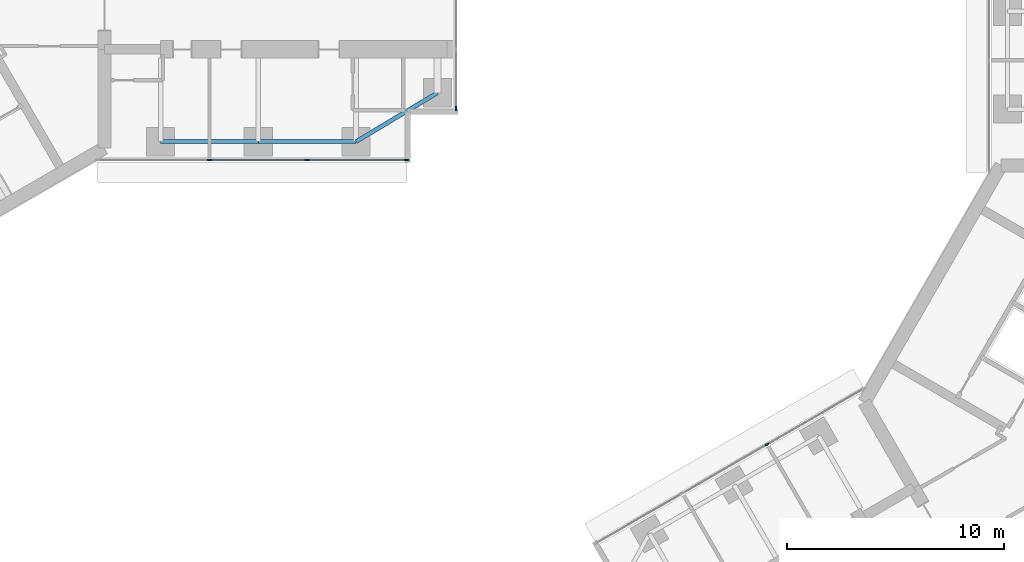
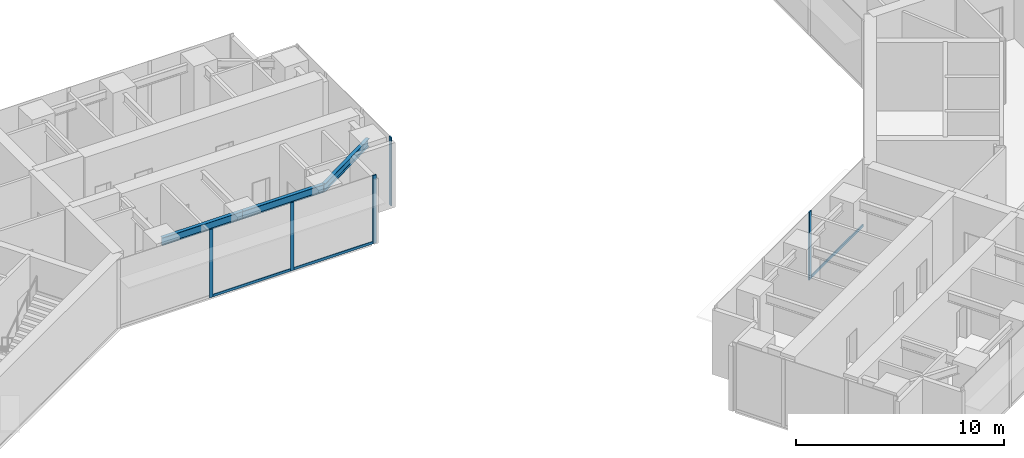
# One storey, part 4 of 22: 8 members, 3 beams, 3 elements without a shape of their own.
"""IFC4 building model written with IfcOpenShell, lengths in metres."""

from ifc_helpers import new_model, si_unit, direction, frame, origin, origin_2d, place, context, subcontext, project, spatial, rectangle, i_section, extrude, material, material_profile, profile_set, type_object, element, aggregate, save


model = new_model("IFC4")

# Units and contexts
model_context = context("Model", 3, precision=1e-05, world=origin(), true_north=direction((0.0, 1.0)))
body_context = subcontext(model_context, "Body", "Model", "MODEL_VIEW")
ifc_project = project(units=[si_unit("LENGTHUNIT", "METRE"), si_unit("AREAUNIT", "SQUARE_METRE"), si_unit("VOLUMEUNIT", "CUBIC_METRE"), si_unit("PLANEANGLEUNIT", "RADIAN"), si_unit("MASSUNIT", "GRAM", prefix="KILO")], contexts=[model_context])

# Site, building, storey
site_placement = place(None, origin())
site = spatial("IfcSite", under=ifc_project, at=site_placement, CompositionType="ELEMENT")
building_placement = place(site_placement, origin())
building = spatial("IfcBuilding", under=site, at=building_placement, Name="Upepo Twin Towers", CompositionType="ELEMENT")
storey_placement = place(building_placement, frame((0.0, 0.0, 121.5)))
storey = spatial("IfcBuildingStorey", under=building, at=storey_placement, Name="L29", CompositionType="ELEMENT", Elevation=121.5)

# Beams
ifc_material_1 = material(Name="Steel S355", Category="steel")
ifc_material_profile_1 = material_profile(ifc_material_1, i_section(OverallWidth=0.1904296875, OverallDepth=0.45703125, WebThickness=0.009033203125, FlangeThickness=0.014404296875, FilletRadius=0.01025390625, at=origin_2d()), Name="UB 457x191x74")
ifc_profile_set_1 = profile_set([ifc_material_profile_1], Name="Steel S355")
beam_type = type_object("IfcBeamType", Name="Beam UB 457x191x74", PredefinedType="BEAM", material=ifc_profile_set_1)
for number, where, z_axis, x_axis, name in (
    (1, (13.5, -6.0, 3.571533203125), (1.0, 0.0, 0.0), (0.0, 1.0, 0.0), "T1 edge beam AR 13.5-18.0"),
    (2, (18.0, -6.0, 3.571533203125), (1.0, 0.0, 0.0), (0.0, 1.0, 0.0), "T1 edge beam AR 18.0-22.5"),
):
    element("IfcBeam", number, at=place(storey_placement, frame(where, z_axis=z_axis, x_axis=x_axis)), inside=storey, type_object=beam_type, Name=name, PredefinedType="BEAM", context=body_context, shape_type="SweptSolid", body=[
        extrude(i_section(OverallWidth=0.1904296875, OverallDepth=0.45703125, WebThickness=0.009033203125, FlangeThickness=0.014404296875, FilletRadius=0.01025390625, at=origin_2d()), origin(), (0.0, 0.0, 1.0), 4.5),
    ])
beam_placement = place(storey_placement, frame((22.5, -6.0, 3.571533203125), z_axis=(0.857492925713, 0.514495755428, 0.0), x_axis=(-0.514495755428, 0.857492925713, 0.0)))
element("IfcBeam", 3, at=beam_placement, inside=storey, type_object=beam_type, Name="T1 nose edge beam AR", PredefinedType="BEAM", context=body_context, shape_type="SweptSolid", body=[
    extrude(i_section(OverallWidth=0.1904296875, OverallDepth=0.45703125, WebThickness=0.009033203125, FlangeThickness=0.014404296875, FilletRadius=0.01025390625, at=origin_2d()), origin(), (0.0, 0.0, 1.0), 4.373291015625),
])

# Curtain wall, members
ifc_material_2 = material(Name="Aluminium and fritted glass", Category="aluminium")
curtain_wall_type = type_object("IfcCurtainWallType", Name="Tower curtain wall TW2, fritted glass", PredefinedType="NOTDEFINED", material=ifc_material_2)
curtain_wall_1_placement = place(storey_placement, origin())
curtain_wall_1 = element("IfcCurtainWall", 4, at=curtain_wall_1_placement, inside=storey, type_object=curtain_wall_type, Name="T1 L29 wing A flank R curtain wall", PredefinedType="NOTDEFINED")
ifc_material_3 = material(Name="Aluminium mullion", Category="aluminium")
ifc_material_profile_2 = material_profile(ifc_material_3, rectangle(XDim=0.06494140625, YDim=0.199951171875, at=origin_2d()), Name="MULLION 65x200")
ifc_profile_set_2 = profile_set([ifc_material_profile_2], Name="Aluminium mullion")
member_type_1 = type_object("IfcMemberType", Name="Mullion 65x200 TW2", PredefinedType="MULLION", material=ifc_profile_set_2)
member_1_placement = place(storey_placement, frame((24.8173828125, -6.85009765625, 0.0), z_axis=(0.0, 0.0, 1.0), x_axis=(0.0, -1.0, 0.0)))
member_1 = element("IfcMember", 5, at=member_1_placement, type_object=member_type_1, Name="T1 L29 wing A flank R curtain wall mullion 1", PredefinedType="MULLION", context=body_context, shape_type="SweptSolid", body=[
    extrude(rectangle(XDim=0.06494140625, YDim=0.199951171875, at=origin_2d()), origin(), (0.0, 0.0, 1.0), 4.0),
])
member_2_placement = place(storey_placement, frame((20.25, -6.85009765625, 0.0), z_axis=(0.0, 0.0, 1.0), x_axis=(0.0, -1.0, 0.0)))
member_2 = element("IfcMember", 6, at=member_2_placement, type_object=member_type_1, Name="T1 L29 wing A flank R curtain wall mullion 2", PredefinedType="MULLION", context=body_context, shape_type="SweptSolid", body=[
    extrude(rectangle(XDim=0.06494140625, YDim=0.199951171875, at=origin_2d()), origin(), (0.0, 0.0, 1.0), 4.0),
])
member_3_placement = place(storey_placement, frame((15.75, -6.85009765625, 0.0), z_axis=(0.0, 0.0, 1.0), x_axis=(0.0, -1.0, 0.0)))
member_3 = element("IfcMember", 7, at=member_3_placement, type_object=member_type_1, Name="T1 L29 wing A flank R curtain wall mullion 3", PredefinedType="MULLION", context=body_context, shape_type="SweptSolid", body=[
    extrude(rectangle(XDim=0.06494140625, YDim=0.199951171875, at=origin_2d()), origin(), (0.0, 0.0, 1.0), 4.0),
])

# Curtain wall, member
curtain_wall_2_placement = place(storey_placement, origin())
curtain_wall_2 = element("IfcCurtainWall", 8, at=curtain_wall_2_placement, inside=storey, type_object=curtain_wall_type, Name="T1 L29 wing A nose curtain wall", PredefinedType="NOTDEFINED")
member_4_placement = place(storey_placement, frame((27.10009765625, -4.467529296875, 0.0), z_axis=(0.0, 0.0, 1.0), x_axis=(-1.0, 0.0, 0.0)))
member_4 = element("IfcMember", 9, at=member_4_placement, type_object=member_type_1, Name="T1 L29 wing A nose curtain wall mullion 1", PredefinedType="MULLION", context=body_context, shape_type="SweptSolid", body=[
    extrude(rectangle(XDim=0.06494140625, YDim=0.199951171875, at=origin_2d()), origin(), (0.0, 0.0, 1.0), 4.0),
])
aggregate(curtain_wall_2, [member_4])

curtain_wall_3_placement = place(storey_placement, origin())
curtain_wall_3 = element("IfcCurtainWall", 10, at=curtain_wall_3_placement, inside=storey, type_object=curtain_wall_type, Name="T2 L29 wing B flank R curtain wall", PredefinedType="NOTDEFINED")
member_5_placement = place(storey_placement, frame((41.43505859375, -19.942626953125, 0.0), z_axis=(0.0, 0.0, 1.0), x_axis=(-0.500000010308, 0.866025397833, 0.0)))
member_5 = element("IfcMember", 11, at=member_5_placement, type_object=member_type_1, Name="T2 L29 wing B flank R curtain wall mullion 3", PredefinedType="MULLION", context=body_context, shape_type="SweptSolid", body=[
    extrude(rectangle(XDim=0.06494140625, YDim=0.199951171875, at=origin_2d()), origin(), (0.0, 0.0, 1.0), 4.0),
])

# Member
ifc_material_4 = material(Name="Aluminium transom", Category="aluminium")
ifc_material_profile_3 = material_profile(ifc_material_4, rectangle(XDim=0.06494140625, YDim=0.14990234375, at=origin_2d()), Name="TRANSOM 65x150")
ifc_profile_set_3 = profile_set([ifc_material_profile_3], Name="Aluminium transom")
member_type_2 = type_object("IfcMemberType", Name="Transom 65x150 TW2", PredefinedType="USERDEFINED", material=ifc_profile_set_3)
member_6_placement = place(storey_placement, frame((24.784912109375, -6.85009765625, 0.074951171875), z_axis=(-1.0, 0.0, 0.0), x_axis=(0.0, -1.0, 0.0)))
member_6 = element("IfcMember", 12, at=member_6_placement, type_object=member_type_2, Name="T1 L29 wing A flank R curtain wall transom 1", ObjectType="TRANSOM", PredefinedType="USERDEFINED", context=body_context, shape_type="SweptSolid", body=[
    extrude(rectangle(XDim=0.06494140625, YDim=0.14990234375, at=origin_2d()), origin(), (0.0, 0.0, 1.0), 4.50244140625),
])

member_7_placement = place(storey_placement, frame((20.217529296875, -6.85009765625, 0.074951171875), z_axis=(-1.0, 0.0, 0.0), x_axis=(0.0, -1.0, 0.0)))
member_7 = element("IfcMember", 13, at=member_7_placement, type_object=member_type_2, Name="T1 L29 wing A flank R curtain wall transom 2", ObjectType="TRANSOM", PredefinedType="USERDEFINED", context=body_context, shape_type="SweptSolid", body=[
    extrude(rectangle(XDim=0.06494140625, YDim=0.14990234375, at=origin_2d()), origin(), (0.0, 0.0, 1.0), 4.43505859375),
])

aggregate(curtain_wall_1, [member_1, member_2, member_3, member_6, member_7])

member_8_placement = place(storey_placement, frame((41.463134765625, -19.926513671875, 0.074951171875), z_axis=(0.866033897268, 0.499985288567, 0.0), x_axis=(-0.499985288567, 0.866033897268, 0.0)))
member_8 = element("IfcMember", 14, at=member_8_placement, type_object=member_type_2, Name="T2 L29 wing B flank R curtain wall transom 3", ObjectType="TRANSOM", PredefinedType="USERDEFINED", context=body_context, shape_type="SweptSolid", body=[
    extrude(rectangle(XDim=0.06494140625, YDim=0.14990234375, at=origin_2d()), origin(), (0.0, 0.0, 1.0), 5.065673828125),
])

aggregate(curtain_wall_3, [member_5, member_8])

save(model, "model.ifc")
